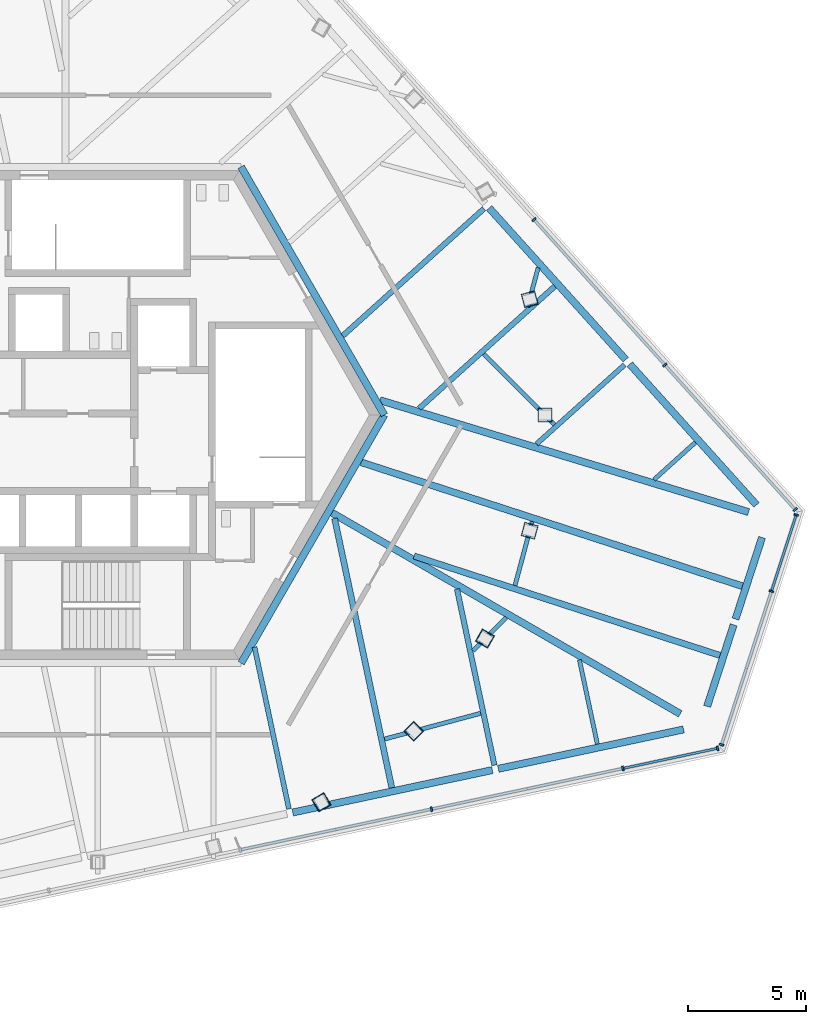
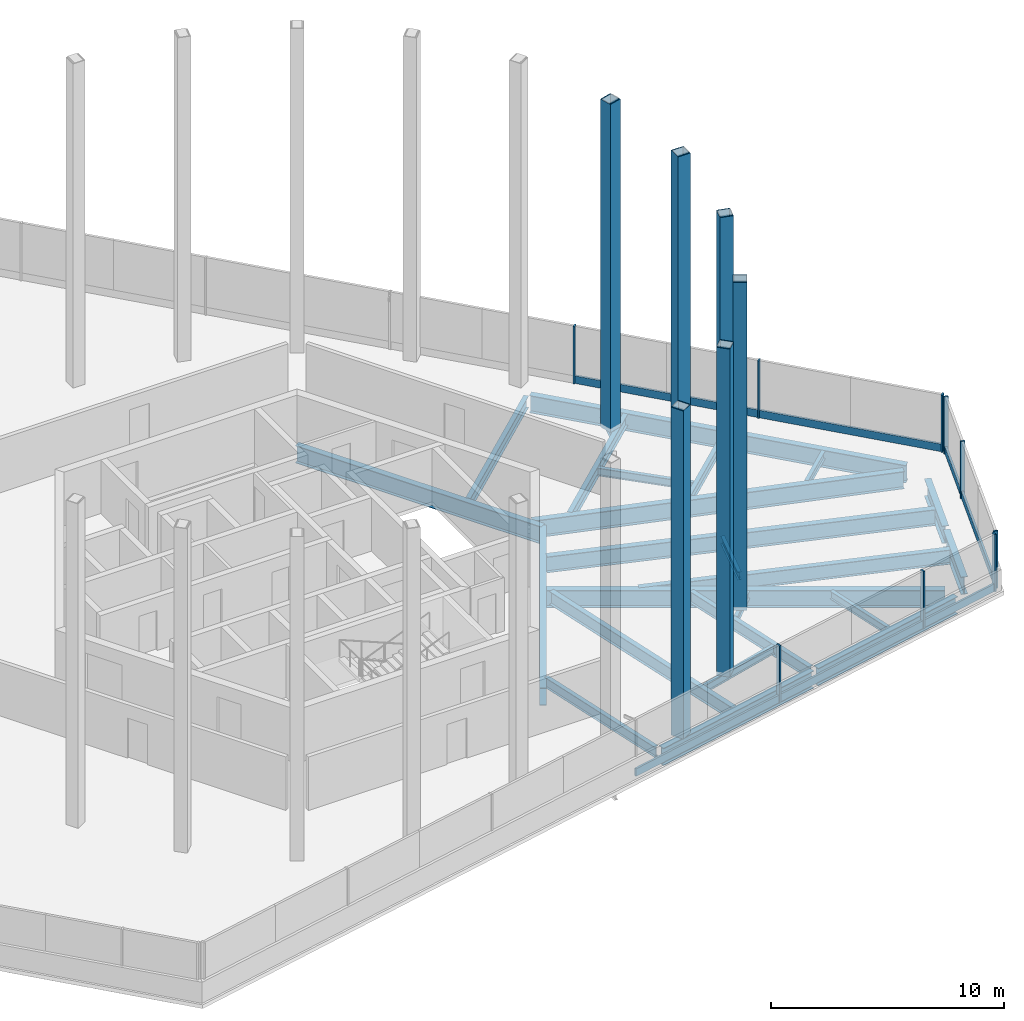
# One storey, part 3 of 11: 25 beams, 22 members, 3 elements without a shape of their own.
"""IFC4 building model written with IfcOpenShell, lengths in metres."""

from ifc_helpers import new_model, si_unit, direction, frame, origin, origin_2d, place, context, subcontext, project, spatial, rectangle, hollow_rectangle, i_section, extrude, source, transform, mapped, material, material_profile, profile_set, type_object, element, aggregate, save


model = new_model("IFC4")

# Units and contexts
model_context = context("Model", 3, precision=1e-05, world=origin(), true_north=direction((0.0, 1.0)))
body_context = subcontext(model_context, "Body", "Model", "MODEL_VIEW")
ifc_project = project(units=[si_unit("LENGTHUNIT", "METRE"), si_unit("AREAUNIT", "SQUARE_METRE"), si_unit("VOLUMEUNIT", "CUBIC_METRE"), si_unit("PLANEANGLEUNIT", "RADIAN"), si_unit("MASSUNIT", "GRAM", prefix="KILO")], contexts=[model_context])

# Site, building, storey
site_placement = place(None, origin())
site = spatial("IfcSite", under=ifc_project, at=site_placement, CompositionType="ELEMENT")
building_placement = place(site_placement, origin())
building = spatial("IfcBuilding", under=site, at=building_placement, Name="Triune Harvest Tower", CompositionType="ELEMENT")
storey_placement = place(building_placement, frame((0.0, 0.0, 296.699951171875)))
storey = spatial("IfcBuildingStorey", under=building, at=storey_placement, Name="L78", CompositionType="ELEMENT", Elevation=296.699951171875)

# Beams
ifc_material_1 = material(Name="Steel ASTM A992 Gr 50", Category="steel")
ifc_material_profile_1 = material_profile(ifc_material_1, i_section(OverallWidth=0.180908203125, OverallDepth=0.41650390625, WebThickness=0.010986328125, FlangeThickness=0.01806640625, at=origin_2d()), Name="W16x57")
ifc_profile_set_1 = profile_set([ifc_material_profile_1], Name="Steel ASTM A992 Gr 50")
beam_type_1 = type_object("IfcBeamType", Name="JT-1 Floor joist W16x57", PredefinedType="JOIST", material=ifc_profile_set_1)
beam_1_placement = place(storey_placement, frame((18.263427734375, 4.584716796875, -0.408203125), z_axis=(0.258794830847, 0.965932314154, 0.0), x_axis=(-0.965932314154, 0.258794830847, 0.0)))
element("IfcBeam", 1, at=beam_1_placement, inside=storey, type_object=beam_type_1, Name="beam/L78/CR2", PredefinedType="JOIST", context=body_context, shape_type="SweptSolid", body=[
    extrude(i_section(OverallWidth=0.180908203125, OverallDepth=0.41650390625, WebThickness=0.010986328125, FlangeThickness=0.01806640625, at=origin_2d()), origin(), (0.0, 0.0, 1.0), 1.731201171875),
])
beam_2_placement = place(storey_placement, frame((12.18408203125, -13.770263671875, -0.408203125), z_axis=(0.965918926693, 0.258844793375, 0.0), x_axis=(-0.258844793375, 0.965918926693, 0.0)))
element("IfcBeam", 2, at=beam_2_placement, inside=storey, type_object=beam_type_1, Name="beam/L78/CR25", PredefinedType="JOIST", context=body_context, shape_type="SweptSolid", body=[
    extrude(i_section(OverallWidth=0.180908203125, OverallDepth=0.41650390625, WebThickness=0.010986328125, FlangeThickness=0.01806640625, at=origin_2d()), origin(), (0.0, 0.0, 1.0), 4.228271484375),
])

# Curtain wall, member
ifc_material_2 = material(Name="Aluminium bronze anodised", Category="aluminium")
curtain_wall_type = type_object("IfcCurtainWallType", Name="CW-5 Plant louvre wall", PredefinedType="NOTDEFINED", material=ifc_material_2)
curtain_wall_1_placement = place(storey_placement, origin())
curtain_wall_1 = element("IfcCurtainWall", 3, at=curtain_wall_1_placement, inside=storey, type_object=curtain_wall_type, Name="CW-5 CP-F5 L78 run 1")
ifc_material_3 = material(Name="Aluminium bronze anodised", Category="aluminium")
ifc_material_profile_2 = material_profile(ifc_material_3, rectangle(XDim=0.10009765625, YDim=0.39990234375, at=origin_2d()), Name="TR-5 transom 100 x 400")
ifc_profile_set_2 = profile_set([ifc_material_profile_2], Name="Aluminium bronze anodised")
member_type_1 = type_object("IfcMemberType", Name="TR-5 transom 100 x 400", PredefinedType="USERDEFINED", material=ifc_profile_set_2)
member_1_placement = place(storey_placement, frame((22.350341796875, -15.010986328125, 0.199951171875), z_axis=(0.97814808792, 0.207909398774, 0.0), x_axis=(-0.207909398774, 0.97814808792, 0.0)))
member_1 = element("IfcMember", 4, at=member_1_placement, type_object=member_type_1, Name="CW-5 transom CP-F5 1.6", ObjectType="TRANSOM", PredefinedType="USERDEFINED", context=body_context, shape_type="SweptSolid", body=[
    extrude(rectangle(XDim=0.10009765625, YDim=0.39990234375, at=origin_2d()), origin(), (0.0, 0.0, 1.0), 4.035888671875),
])

curtain_wall_2_placement = place(storey_placement, origin())
curtain_wall_2 = element("IfcCurtainWall", 5, at=curtain_wall_2_placement, inside=storey, type_object=curtain_wall_type, Name="CW-5 CP-F6 L78 run 1")
member_2_placement = place(storey_placement, frame((28.637451171875, -7.4482421875, 0.199951171875), z_axis=(0.30900652121, 0.951059919169, 0.0), x_axis=(-0.951059919169, 0.30900652121, 0.0)))
member_2 = element("IfcMember", 6, at=member_2_placement, type_object=member_type_1, Name="CW-5 transom CP-F6 1.2", ObjectType="TRANSOM", PredefinedType="USERDEFINED", context=body_context, shape_type="SweptSolid", body=[
    extrude(rectangle(XDim=0.10009765625, YDim=0.39990234375, at=origin_2d()), origin(), (0.0, 0.0, 1.0), 3.3310546875),
])

# Beams
ifc_material_4 = material(Name="Steel ASTM A992 Gr 50", Category="steel")
ifc_material_profile_3 = material_profile(ifc_material_4, i_section(OverallWidth=0.3046875, OverallDepth=0.914306640625, WebThickness=0.0166015625, FlangeThickness=0.02587890625, at=origin_2d()), Name="W36x160")
ifc_profile_set_3 = profile_set([ifc_material_profile_3], Name="Steel ASTM A992 Gr 50")
beam_type_2 = type_object("IfcBeamType", Name="CG-1 Core ring girder W36x160", PredefinedType="BEAM", material=ifc_profile_set_3)
shared_shape_1 = source(origin(), body_context, "Body", "SweptSolid", [
    extrude(i_section(OverallWidth=0.3046875, OverallDepth=0.914306640625, WebThickness=0.0166015625, FlangeThickness=0.02587890625, at=origin_2d()), origin(), (0.0, 0.0, 1.0), 12.176025390625),
])
for number, where, z_axis, x_axis, name in (
    (7, (12.176025390625, 0.0, -0.6572265625), (-0.5000099932, 0.866019634131, 0.0), (-0.866019634131, -0.5000099932, 0.0), "beam/L78/CG1"),
    (8, (6.087890625, -10.544677734375, -0.6572265625), (0.5000099932, 0.866019634131, 0.0), (-0.866019634131, 0.5000099932, 0.0), "beam/L78/CG6"),
):
    element("IfcBeam", number, at=place(storey_placement, frame(where, z_axis=z_axis, x_axis=x_axis)), inside=storey, type_object=beam_type_2, Name=name, PredefinedType="BEAM", context=body_context, shape_type="MappedRepresentation", body=[
        mapped(shared_shape_1, transform((0.0, 0.0, 0.0), scale=1.0)),
    ])
ifc_material_5 = material(Name="Steel ASTM A992 Gr 50", Category="steel")
ifc_material_profile_4 = material_profile(ifc_material_5, i_section(OverallWidth=0.3046875, OverallDepth=0.914306640625, WebThickness=0.0166015625, FlangeThickness=0.02587890625, at=origin_2d()), Name="W36x160")
ifc_profile_set_4 = profile_set([ifc_material_profile_4], Name="Steel ASTM A992 Gr 50")
beam_type_3 = type_object("IfcBeamType", Name="SB-1 Spandrel beam W36x160", PredefinedType="SPANDREL", material=ifc_profile_set_4)
shared_shape_2 = source(origin(), body_context, "Body", "SweptSolid", [
    extrude(i_section(OverallWidth=0.3046875, OverallDepth=0.914306640625, WebThickness=0.0166015625, FlangeThickness=0.02587890625, at=origin_2d()), origin(), (0.0, 0.0, 1.0), 8.0498046875),
])
beam_3_placement = place(storey_placement, frame((27.991455078125, -3.82177734375, -0.6572265625), z_axis=(-0.669137301084, 0.743138797465, 0.0), x_axis=(-0.743138797465, -0.669137301084, 0.0)))
element("IfcBeam", 9, at=beam_3_placement, inside=storey, type_object=beam_type_3, Name="beam/L78/SB1", PredefinedType="SPANDREL", context=body_context, shape_type="MappedRepresentation", body=[
    mapped(shared_shape_2, transform((0.0, 0.0, 0.0), scale=1.0)),
])
shared_shape_3 = source(origin(), body_context, "Body", "SweptSolid", [
    extrude(i_section(OverallWidth=0.3046875, OverallDepth=0.914306640625, WebThickness=0.0166015625, FlangeThickness=0.02587890625, at=origin_2d()), origin(), (0.0, 0.0, 1.0), 8.671630859375),
])
beam_4_placement = place(storey_placement, frame((22.433349609375, 2.350830078125, -0.6572265625), z_axis=(-0.669114044563, 0.743159737452, 0.0), x_axis=(-0.743159737452, -0.669114044563, 0.0)))
element("IfcBeam", 10, at=beam_4_placement, inside=storey, type_object=beam_type_3, Name="beam/L78/SB2", PredefinedType="SPANDREL", context=body_context, shape_type="MappedRepresentation", body=[
    mapped(shared_shape_3, transform((0.0, 0.0, 0.0), scale=1.0)),
])
shared_shape_4 = source(origin(), body_context, "Body", "SweptSolid", [
    extrude(i_section(OverallWidth=0.3046875, OverallDepth=0.914306640625, WebThickness=0.0166015625, FlangeThickness=0.02587890625, at=origin_2d()), origin(), (0.0, 0.0, 1.0), 8.67138671875),
])
beam_5_placement = place(storey_placement, frame((8.28515625, -16.890869140625, -0.6572265625), z_axis=(0.978145539793, 0.207921386546, 0.0), x_axis=(-0.207921386546, 0.978145539793, 0.0)))
element("IfcBeam", 11, at=beam_5_placement, inside=storey, type_object=beam_type_3, Name="beam/L78/SB18", PredefinedType="SPANDREL", context=body_context, shape_type="MappedRepresentation", body=[
    mapped(shared_shape_4, transform((0.0, 0.0, 0.0), scale=1.0)),
])
shared_shape_5 = source(origin(), body_context, "Body", "SweptSolid", [
    extrude(i_section(OverallWidth=0.3046875, OverallDepth=0.914306640625, WebThickness=0.0166015625, FlangeThickness=0.02587890625, at=origin_2d()), origin(), (0.0, 0.0, 1.0), 3.645751953125),
])
for number, where, z_axis, x_axis, name in (
    (12, (25.89306640625, -12.38134765625, -0.6572265625), (0.309046702753, 0.951046862945, 0.0), (-0.951046862945, 0.309046702753, 0.0), "beam/L78/SB20"),
    (13, (27.09912109375, -8.670166015625, -0.6572265625), (0.308986131058, 0.951066543841, 0.0), (-0.951066543841, 0.308986131058, 0.0), "beam/L78/SB21"),
):
    element("IfcBeam", number, at=place(storey_placement, frame(where, z_axis=z_axis, x_axis=x_axis)), inside=storey, type_object=beam_type_3, Name=name, PredefinedType="SPANDREL", context=body_context, shape_type="MappedRepresentation", body=[
        mapped(shared_shape_5, transform((0.0, 0.0, 0.0), scale=1.0)),
    ])
shared_shape_6 = source(origin(), body_context, "Body", "SweptSolid", [
    extrude(i_section(OverallWidth=0.3046875, OverallDepth=0.914306640625, WebThickness=0.0166015625, FlangeThickness=0.02587890625, at=origin_2d()), origin(), (0.0, 0.0, 1.0), 8.049560546875),
])
beam_6_placement = place(storey_placement, frame((17.01806640625, -15.034423828125, -0.6572265625), z_axis=(0.978148597907, 0.207906999431, 0.0), x_axis=(-0.207906999431, 0.978148597907, 0.0)))
element("IfcBeam", 14, at=beam_6_placement, inside=storey, type_object=beam_type_3, Name="beam/L78/SB19", PredefinedType="SPANDREL", context=body_context, shape_type="MappedRepresentation", body=[
    mapped(shared_shape_6, transform((0.0, 0.0, 0.0), scale=1.0)),
])
ifc_material_6 = material(Name="Steel ASTM A992 Gr 50", Category="steel")
ifc_material_profile_5 = material_profile(ifc_material_6, i_section(OverallWidth=0.3046875, OverallDepth=0.914306640625, WebThickness=0.0166015625, FlangeThickness=0.02587890625, at=origin_2d()), Name="W36x160")
ifc_profile_set_5 = profile_set([ifc_material_profile_5], Name="Steel ASTM A992 Gr 50")
beam_type_4 = type_object("IfcBeamType", Name="HG-3 Hip girder W36x160", PredefinedType="BEAM", material=ifc_profile_set_5)
shared_shape_7 = source(origin(), body_context, "Body", "SweptSolid", [
    extrude(i_section(OverallWidth=0.3046875, OverallDepth=0.914306640625, WebThickness=0.0166015625, FlangeThickness=0.02587890625, at=origin_2d()), origin(), (0.0, 0.0, 1.0), 16.370361328125),
])
beam_7_placement = place(storey_placement, frame((27.65478515625, -4.124755859375, -0.6572265625), z_axis=(-0.956924757428, 0.29033602708, 0.0), x_axis=(-0.29033602708, -0.956924757428, 0.0)))
element("IfcBeam", 15, at=beam_7_placement, inside=storey, type_object=beam_type_4, Name="beam/L78/HG1", PredefinedType="BEAM", context=body_context, shape_type="MappedRepresentation", body=[
    mapped(shared_shape_7, transform((0.0, 0.0, 0.0), scale=1.0)),
])
shared_shape_8 = source(origin(), body_context, "Body", "SweptSolid", [
    extrude(i_section(OverallWidth=0.3046875, OverallDepth=0.914306640625, WebThickness=0.0166015625, FlangeThickness=0.02587890625, at=origin_2d()), origin(), (0.0, 0.0, 1.0), 17.088623046875),
])
beam_8_placement = place(storey_placement, frame((24.75146484375, -12.700439453125, -0.6572265625), z_axis=(-0.866020709961, 0.500008129852, 0.0), x_axis=(-0.500008129852, -0.866020709961, 0.0)))
element("IfcBeam", 16, at=beam_8_placement, inside=storey, type_object=beam_type_4, Name="beam/L78/HG8", PredefinedType="BEAM", context=body_context, shape_type="MappedRepresentation", body=[
    mapped(shared_shape_8, transform((0.0, 0.0, 0.0), scale=1.0)),
])
shared_shape_9 = source(origin(), body_context, "Body", "SweptSolid", [
    extrude(i_section(OverallWidth=0.180908203125, OverallDepth=0.41650390625, WebThickness=0.010986328125, FlangeThickness=0.01806640625, at=origin_2d()), origin(), (0.0, 0.0, 1.0), 2.364990234375),
])
beam_9_placement = place(storey_placement, frame((25.39306640625, -1.163818359375, -0.408203125), z_axis=(-0.743196605909, -0.669073093888, 0.0), x_axis=(0.669073093888, -0.743196605909, 0.0)))
element("IfcBeam", 17, at=beam_9_placement, inside=storey, type_object=beam_type_1, Name="beam/L78/JT1", PredefinedType="JOIST", context=body_context, shape_type="MappedRepresentation", body=[
    mapped(shared_shape_9, transform((0.0, 0.0, 0.0), scale=1.0)),
])
ifc_material_7 = material(Name="Steel ASTM A992 Gr 50", Category="steel")
ifc_material_profile_6 = material_profile(ifc_material_7, i_section(OverallWidth=0.2099609375, OverallDepth=0.535888671875, WebThickness=0.010986328125, FlangeThickness=0.017333984375, at=origin_2d()), Name="W21x68")
ifc_profile_set_6 = profile_set([ifc_material_profile_6], Name="Steel ASTM A992 Gr 50")
beam_type_5 = type_object("IfcBeamType", Name="JT-2 Floor joist W21x68", PredefinedType="JOIST", material=ifc_profile_set_6)
shared_shape_10 = source(origin(), body_context, "Body", "SweptSolid", [
    extrude(i_section(OverallWidth=0.2099609375, OverallDepth=0.535888671875, WebThickness=0.010986328125, FlangeThickness=0.017333984375, at=origin_2d()), origin(), (0.0, 0.0, 1.0), 5.031982421875),
])
beam_10_placement = place(storey_placement, frame((22.38525390625, 2.135009765625, -0.468017578125), z_axis=(-0.743132491089, -0.669144304831, 0.0), x_axis=(0.669144304831, -0.743132491089, 0.0)))
element("IfcBeam", 18, at=beam_10_placement, inside=storey, type_object=beam_type_5, Name="beam/L78/JT2", PredefinedType="JOIST", context=body_context, shape_type="MappedRepresentation", body=[
    mapped(shared_shape_10, transform((0.0, 0.0, 0.0), scale=1.0)),
])
ifc_material_8 = material(Name="Steel ASTM A992 Gr 50", Category="steel")
ifc_material_profile_7 = material_profile(ifc_material_8, i_section(OverallWidth=0.22900390625, OverallDepth=0.612060546875, WebThickness=0.011962890625, FlangeThickness=0.01953125, at=origin_2d()), Name="W24x84")
ifc_profile_set_7 = profile_set([ifc_material_profile_7], Name="Steel ASTM A992 Gr 50")
beam_type_6 = type_object("IfcBeamType", Name="JT-3 Floor joist W24x84", PredefinedType="JOIST", material=ifc_profile_set_7)
shared_shape_11 = source(origin(), body_context, "Body", "SweptSolid", [
    extrude(i_section(OverallWidth=0.22900390625, OverallDepth=0.612060546875, WebThickness=0.011962890625, FlangeThickness=0.01953125, at=origin_2d()), origin(), (0.0, 0.0, 1.0), 7.755126953125),
])
beam_11_placement = place(storey_placement, frame((19.4189453125, 5.470947265625, -0.506103515625), z_axis=(-0.743143852868, -0.66913168655, 0.0), x_axis=(0.66913168655, -0.743143852868, 0.0)))
element("IfcBeam", 19, at=beam_11_placement, inside=storey, type_object=beam_type_6, Name="beam/L78/JT3", PredefinedType="JOIST", context=body_context, shape_type="MappedRepresentation", body=[
    mapped(shared_shape_11, transform((0.0, 0.0, 0.0), scale=1.0)),
])
shared_shape_12 = source(origin(), body_context, "Body", "SweptSolid", [
    extrude(i_section(OverallWidth=0.22900390625, OverallDepth=0.612060546875, WebThickness=0.011962890625, FlangeThickness=0.01953125, at=origin_2d()), origin(), (0.0, 0.0, 1.0), 8.076904296875),
])
beam_12_placement = place(storey_placement, frame((16.4111328125, 8.769775390625, -0.506103515625), z_axis=(-0.743136309392, -0.669140064308, 0.0), x_axis=(0.669140064308, -0.743136309392, 0.0)))
element("IfcBeam", 20, at=beam_12_placement, inside=storey, type_object=beam_type_6, Name="beam/L78/JT4", PredefinedType="JOIST", context=body_context, shape_type="MappedRepresentation", body=[
    mapped(shared_shape_12, transform((0.0, 0.0, 0.0), scale=1.0)),
])
shared_shape_13 = source(origin(), body_context, "Body", "SweptSolid", [
    extrude(i_section(OverallWidth=0.2099609375, OverallDepth=0.535888671875, WebThickness=0.010986328125, FlangeThickness=0.017333984375, at=origin_2d()), origin(), (0.0, 0.0, 1.0), 7.035400390625),
])
beam_13_placement = place(storey_placement, frame((8.122314453125, -16.7412109375, -0.468017578125), z_axis=(-0.207933876112, 0.978142884841, 0.0), x_axis=(-0.978142884841, -0.207933876112, 0.0)))
element("IfcBeam", 21, at=beam_13_placement, inside=storey, type_object=beam_type_5, Name="beam/L78/JT28", PredefinedType="JOIST", context=body_context, shape_type="MappedRepresentation", body=[
    mapped(shared_shape_13, transform((0.0, 0.0, 0.0), scale=1.0)),
])
ifc_material_9 = material(Name="Steel ASTM A992 Gr 50", Category="steel")
ifc_material_profile_8 = material_profile(ifc_material_9, i_section(OverallWidth=0.253662109375, OverallDepth=0.683349609375, WebThickness=0.012451171875, FlangeThickness=0.01904296875, at=origin_2d()), Name="W27x94")
ifc_profile_set_8 = profile_set([ifc_material_profile_8], Name="Steel ASTM A992 Gr 50")
beam_type_7 = type_object("IfcBeamType", Name="JT-4 Floor joist W27x94", PredefinedType="JOIST", material=ifc_profile_set_8)
shared_shape_14 = source(origin(), body_context, "Body", "SweptSolid", [
    extrude(i_section(OverallWidth=0.253662109375, OverallDepth=0.683349609375, WebThickness=0.012451171875, FlangeThickness=0.01904296875, at=origin_2d()), origin(), (0.0, 0.0, 1.0), 11.70068359375),
])
beam_14_placement = place(storey_placement, frame((12.494384765625, -15.84033203125, -0.54150390625), z_axis=(-0.207902925765, 0.978149463762, 0.0), x_axis=(-0.978149463762, -0.207902925765, 0.0)))
element("IfcBeam", 22, at=beam_14_placement, inside=storey, type_object=beam_type_7, Name="beam/L78/JT29", PredefinedType="JOIST", context=body_context, shape_type="MappedRepresentation", body=[
    mapped(shared_shape_14, transform((0.0, 0.0, 0.0), scale=1.0)),
])
shared_shape_15 = source(origin(), body_context, "Body", "SweptSolid", [
    extrude(i_section(OverallWidth=0.22900390625, OverallDepth=0.612060546875, WebThickness=0.011962890625, FlangeThickness=0.01953125, at=origin_2d()), origin(), (0.0, 0.0, 1.0), 7.6533203125),
])
beam_15_placement = place(storey_placement, frame((16.85498046875, -14.884765625, -0.506103515625), z_axis=(-0.207892711211, 0.978151634781, 0.0), x_axis=(-0.978151634781, -0.207892711211, 0.0)))
element("IfcBeam", 23, at=beam_15_placement, inside=storey, type_object=beam_type_6, Name="beam/L78/JT30", PredefinedType="JOIST", context=body_context, shape_type="MappedRepresentation", body=[
    mapped(shared_shape_15, transform((0.0, 0.0, 0.0), scale=1.0)),
])
shared_shape_16 = source(origin(), body_context, "Body", "SweptSolid", [
    extrude(i_section(OverallWidth=0.180908203125, OverallDepth=0.41650390625, WebThickness=0.010986328125, FlangeThickness=0.01806640625, at=origin_2d()), origin(), (0.0, 0.0, 1.0), 3.661865234375),
])
beam_16_placement = place(storey_placement, frame((21.227294921875, -13.98388671875, -0.408203125), z_axis=(-0.20788506993, 0.9781532588, 0.0), x_axis=(-0.9781532588, -0.20788506993, 0.0)))
element("IfcBeam", 24, at=beam_16_placement, inside=storey, type_object=beam_type_1, Name="beam/L78/JT31", PredefinedType="JOIST", context=body_context, shape_type="MappedRepresentation", body=[
    mapped(shared_shape_16, transform((0.0, 0.0, 0.0), scale=1.0)),
])
ifc_material_10 = material(Name="Steel ASTM A992 Gr 50", Category="steel")
ifc_material_profile_9 = material_profile(ifc_material_10, i_section(OverallWidth=0.2666015625, OverallDepth=0.7568359375, WebThickness=0.013916015625, FlangeThickness=0.019287109375, at=origin_2d()), Name="W30x108")
ifc_profile_set_9 = profile_set([ifc_material_profile_9], Name="Steel ASTM A992 Gr 50")
beam_type_8 = type_object("IfcBeamType", Name="JT-5 Floor joist W30x108", PredefinedType="JOIST", material=ifc_profile_set_9)
shared_shape_17 = source(origin(), body_context, "Body", "SweptSolid", [
    extrude(i_section(OverallWidth=0.2666015625, OverallDepth=0.7568359375, WebThickness=0.013916015625, FlangeThickness=0.019287109375, at=origin_2d()), origin(), (0.0, 0.0, 1.0), 13.667724609375),
])
beam_17_placement = place(storey_placement, frame((26.4365234375, -10.216064453125, -0.578369140625), z_axis=(-0.951054938162, 0.309021851327, 0.0), x_axis=(-0.309021851327, -0.951054938162, 0.0)))
element("IfcBeam", 25, at=beam_17_placement, inside=storey, type_object=beam_type_8, Name="beam/L78/JT32", PredefinedType="JOIST", context=body_context, shape_type="MappedRepresentation", body=[
    mapped(shared_shape_17, transform((0.0, 0.0, 0.0), scale=1.0)),
])
ifc_material_11 = material(Name="Steel ASTM A992 Gr 50", Category="steel")
ifc_material_profile_10 = material_profile(ifc_material_11, i_section(OverallWidth=0.2919921875, OverallDepth=0.8408203125, WebThickness=0.0146484375, FlangeThickness=0.021728515625, at=origin_2d()), Name="W33x130")
ifc_profile_set_10 = profile_set([ifc_material_profile_10], Name="Steel ASTM A992 Gr 50")
beam_type_9 = type_object("IfcBeamType", Name="JT-6 Floor joist W33x130", PredefinedType="JOIST", material=ifc_profile_set_10)
shared_shape_18 = source(origin(), body_context, "Body", "SweptSolid", [
    extrude(i_section(OverallWidth=0.2919921875, OverallDepth=0.8408203125, WebThickness=0.0146484375, FlangeThickness=0.021728515625, at=origin_2d()), origin(), (0.0, 0.0, 1.0), 17.03466796875),
])
beam_18_placement = place(storey_placement, frame((27.392333984375, -7.27392578125, -0.620361328125), z_axis=(-0.951057974177, 0.30901250744, 0.0), x_axis=(-0.30901250744, -0.951057974177, 0.0)))
element("IfcBeam", 26, at=beam_18_placement, inside=storey, type_object=beam_type_9, Name="beam/L78/JT33", PredefinedType="JOIST", context=body_context, shape_type="MappedRepresentation", body=[
    mapped(shared_shape_18, transform((0.0, 0.0, 0.0), scale=1.0)),
])
shared_shape_19 = source(origin(), body_context, "Body", "SweptSolid", [
    extrude(i_section(OverallWidth=0.180908203125, OverallDepth=0.41650390625, WebThickness=0.010986328125, FlangeThickness=0.01806640625, at=origin_2d()), origin(), (0.0, 0.0, 1.0), 4.250244140625),
])
beam_19_placement = place(storey_placement, frame((19.406005859375, -0.406005859375, -0.408203125), z_axis=(-0.707106781187, 0.707106781187, 0.0), x_axis=(-0.707106781187, -0.707106781187, 0.0)))
element("IfcBeam", 27, at=beam_19_placement, inside=storey, type_object=beam_type_1, Name="beam/L78/CR1", PredefinedType="JOIST", context=body_context, shape_type="MappedRepresentation", body=[
    mapped(shared_shape_19, transform((0.0, 0.0, 0.0), scale=1.0)),
])
shared_shape_20 = source(origin(), body_context, "Body", "SweptSolid", [
    extrude(i_section(OverallWidth=0.180908203125, OverallDepth=0.41650390625, WebThickness=0.010986328125, FlangeThickness=0.01806640625, at=origin_2d()), origin(), (0.0, 0.0, 1.0), 1.9990234375),
])
beam_20_placement = place(storey_placement, frame((15.9375, -10.01708984375, -0.408203125), z_axis=(0.707045710514, 0.707167846585, 0.0), x_axis=(-0.707167846585, 0.707045710514, 0.0)))
element("IfcBeam", 28, at=beam_20_placement, inside=storey, type_object=beam_type_1, Name="beam/L78/CR26", PredefinedType="JOIST", context=body_context, shape_type="MappedRepresentation", body=[
    mapped(shared_shape_20, transform((0.0, 0.0, 0.0), scale=1.0)),
])
shared_shape_21 = source(origin(), body_context, "Body", "SweptSolid", [
    extrude(i_section(OverallWidth=0.180908203125, OverallDepth=0.41650390625, WebThickness=0.010986328125, FlangeThickness=0.01806640625, at=origin_2d()), origin(), (0.0, 0.0, 1.0), 2.817626953125),
])
beam_21_placement = place(storey_placement, frame((17.728515625, -7.246337890625, -0.408203125), z_axis=(0.258891994484, 0.965906276609, 0.0), x_axis=(-0.965906276609, 0.258891994484, 0.0)))
element("IfcBeam", 29, at=beam_21_placement, inside=storey, type_object=beam_type_1, Name="beam/L78/CR27", PredefinedType="JOIST", context=body_context, shape_type="MappedRepresentation", body=[
    mapped(shared_shape_21, transform((0.0, 0.0, 0.0), scale=1.0)),
])

# Curtain wall, members
curtain_wall_3_placement = place(storey_placement, origin())
curtain_wall_3 = element("IfcCurtainWall", 30, at=curtain_wall_3_placement, inside=storey, type_object=curtain_wall_type, Name="CW-5 CP-F1 L78 run 1")
ifc_material_12 = material(Name="Aluminium bronze anodised", Category="aluminium")
ifc_material_profile_11 = material_profile(ifc_material_12, rectangle(XDim=0.199951171875, YDim=0.080078125, at=origin_2d()), Name="MU-5 mullion 80 x 200")
ifc_profile_set_11 = profile_set([ifc_material_profile_11], Name="Aluminium bronze anodised")
member_type_2 = type_object("IfcMemberType", Name="MU-5 mullion 80 x 200", PredefinedType="MULLION", material=ifc_profile_set_11)
shared_shape_22 = source(origin(), body_context, "Body", "SweptSolid", [
    extrude(rectangle(XDim=0.199951171875, YDim=0.080078125, at=origin_2d()), origin(), (0.0, 0.0, 1.0), 3.0),
])
member_3_placement = place(storey_placement, frame((29.63232421875, -4.02197265625, 0.0), z_axis=(0.0, 0.0, 1.0), x_axis=(-0.743144068463, -0.669131447108, 0.0)))
member_3 = element("IfcMember", 31, at=member_3_placement, type_object=member_type_2, Name="CW-5 mullion CP-F1 1.1", PredefinedType="MULLION", context=body_context, shape_type="MappedRepresentation", body=[
    mapped(shared_shape_22, transform((0.0, 0.0, 0.0), scale=1.0)),
])
member_4_placement = place(storey_placement, frame((24.09765625, 2.125, 0.0), z_axis=(0.0, 0.0, 1.0), x_axis=(-0.743144068463, -0.669131447108, 0.0)))
member_4 = element("IfcMember", 32, at=member_4_placement, type_object=member_type_2, Name="CW-5 mullion CP-F1 1.3", PredefinedType="MULLION", context=body_context, shape_type="MappedRepresentation", body=[
    mapped(shared_shape_22, transform((0.0, 0.0, 0.0), scale=1.0)),
])
member_5_placement = place(storey_placement, frame((18.5361328125, 8.3017578125, 0.0), z_axis=(0.0, 0.0, 1.0), x_axis=(-0.743144068463, -0.669131447108, 0.0)))
member_5 = element("IfcMember", 33, at=member_5_placement, type_object=member_type_2, Name="CW-5 mullion CP-F1 1.5", PredefinedType="MULLION", context=body_context, shape_type="MappedRepresentation", body=[
    mapped(shared_shape_22, transform((0.0, 0.0, 0.0), scale=1.0)),
])

# Member
member_6_placement = place(storey_placement, frame((14.181396484375, -16.747314453125, 0.0), z_axis=(0.0, 0.0, 1.0), x_axis=(-0.207910979944, 0.978147751834, 0.0)))
member_6 = element("IfcMember", 34, at=member_6_placement, type_object=member_type_2, Name="CW-5 mullion CP-F5 1.9", PredefinedType="MULLION", context=body_context, shape_type="MappedRepresentation", body=[
    mapped(shared_shape_22, transform((0.0, 0.0, 0.0), scale=1.0)),
])

member_7_placement = place(storey_placement, frame((22.311279296875, -15.019287109375, 0.0), z_axis=(0.0, 0.0, 1.0), x_axis=(-0.207910979944, 0.978147751834, 0.0)))
member_7 = element("IfcMember", 35, at=member_7_placement, type_object=member_type_2, Name="CW-5 mullion CP-F5 1.11", PredefinedType="MULLION", context=body_context, shape_type="MappedRepresentation", body=[
    mapped(shared_shape_22, transform((0.0, 0.0, 0.0), scale=1.0)),
])

member_8_placement = place(storey_placement, frame((26.337158203125, -14.16357421875, 0.0), z_axis=(0.0, 0.0, 1.0), x_axis=(-0.207910979944, 0.978147751834, 0.0)))
member_8 = element("IfcMember", 36, at=member_8_placement, type_object=member_type_2, Name="CW-5 mullion CP-F5 1.12", PredefinedType="MULLION", context=body_context, shape_type="MappedRepresentation", body=[
    mapped(shared_shape_22, transform((0.0, 0.0, 0.0), scale=1.0)),
])

member_9_placement = place(storey_placement, frame((26.50439453125, -14.012939453125, 0.0), z_axis=(0.0, 0.0, 1.0), x_axis=(-0.951055902733, 0.309018882717, 0.0)))
member_9 = element("IfcMember", 37, at=member_9_placement, type_object=member_type_2, Name="CW-5 mullion CP-F6 1.1", PredefinedType="MULLION", context=body_context, shape_type="MappedRepresentation", body=[
    mapped(shared_shape_22, transform((0.0, 0.0, 0.0), scale=1.0)),
])

member_10_placement = place(storey_placement, frame((28.625, -7.486328125, 0.0), z_axis=(0.0, 0.0, 1.0), x_axis=(-0.951055902733, 0.309018882717, 0.0)))
member_10 = element("IfcMember", 38, at=member_10_placement, type_object=member_type_2, Name="CW-5 mullion CP-F6 1.3", PredefinedType="MULLION", context=body_context, shape_type="MappedRepresentation", body=[
    mapped(shared_shape_22, transform((0.0, 0.0, 0.0), scale=1.0)),
])

member_11_placement = place(storey_placement, frame((29.67919921875, -4.2421875, 0.0), z_axis=(0.0, 0.0, 1.0), x_axis=(-0.951055902733, 0.309018882717, 0.0)))
member_11 = element("IfcMember", 39, at=member_11_placement, type_object=member_type_2, Name="CW-5 mullion CP-F6 1.4", PredefinedType="MULLION", context=body_context, shape_type="MappedRepresentation", body=[
    mapped(shared_shape_22, transform((0.0, 0.0, 0.0), scale=1.0)),
])

shared_shape_23 = source(origin(), body_context, "Body", "SweptSolid", [
    extrude(rectangle(XDim=0.10009765625, YDim=0.39990234375, at=origin_2d()), origin(), (0.0, 0.0, 1.0), 8.19140625),
])
member_12_placement = place(storey_placement, frame((29.605712890625, -3.9921875, 0.199951171875), z_axis=(-0.669135964998, 0.743140000502, 0.0), x_axis=(-0.743140000502, -0.669135964998, 0.0)))
member_12 = element("IfcMember", 40, at=member_12_placement, type_object=member_type_1, Name="CW-5 transom CP-F1 1.1", ObjectType="TRANSOM", PredefinedType="USERDEFINED", context=body_context, shape_type="MappedRepresentation", body=[
    mapped(shared_shape_23, transform((0.0, 0.0, 0.0), scale=1.0)),
])

shared_shape_24 = source(origin(), body_context, "Body", "SweptSolid", [
    extrude(rectangle(XDim=0.10009765625, YDim=0.39990234375, at=origin_2d()), origin(), (0.0, 0.0, 1.0), 8.2314453125),
])
member_13_placement = place(storey_placement, frame((24.07080078125, 2.15478515625, 0.199951171875), z_axis=(-0.669122027567, 0.743152549766, 0.0), x_axis=(-0.743152549766, -0.669122027567, 0.0)))
member_13 = element("IfcMember", 41, at=member_13_placement, type_object=member_type_1, Name="CW-5 transom CP-F1 1.2", ObjectType="TRANSOM", PredefinedType="USERDEFINED", context=body_context, shape_type="MappedRepresentation", body=[
    mapped(shared_shape_24, transform((0.0, 0.0, 0.0), scale=1.0)),
])

aggregate(curtain_wall_3, [member_3, member_4, member_5, member_12, member_13])

shared_shape_25 = source(origin(), body_context, "Body", "SweptSolid", [
    extrude(rectangle(XDim=0.10009765625, YDim=0.39990234375, at=origin_2d()), origin(), (0.0, 0.0, 1.0), 8.231689453125),
])
member_14_placement = place(storey_placement, frame((6.090576171875, -18.46728515625, 0.199951171875), z_axis=(0.978142264855, 0.207936792568, 0.0), x_axis=(-0.207936792568, 0.978142264855, 0.0)))
member_14 = element("IfcMember", 42, at=member_14_placement, type_object=member_type_1, Name="CW-5 transom CP-F5 1.4", ObjectType="TRANSOM", PredefinedType="USERDEFINED", context=body_context, shape_type="MappedRepresentation", body=[
    mapped(shared_shape_25, transform((0.0, 0.0, 0.0), scale=1.0)),
])

member_15_placement = place(storey_placement, frame((14.220458984375, -16.739013671875, 0.199951171875), z_axis=(0.978148296806, 0.207908416028, 0.0), x_axis=(-0.207908416028, 0.978148296806, 0.0)))
member_15 = element("IfcMember", 43, at=member_15_placement, type_object=member_type_1, Name="CW-5 transom CP-F5 1.5", ObjectType="TRANSOM", PredefinedType="USERDEFINED", context=body_context, shape_type="MappedRepresentation", body=[
    mapped(shared_shape_25, transform((0.0, 0.0, 0.0), scale=1.0)),
])

aggregate(curtain_wall_1, [member_6, member_7, member_8, member_14, member_15, member_1])

shared_shape_26 = source(origin(), body_context, "Body", "SweptSolid", [
    extrude(rectangle(XDim=0.10009765625, YDim=0.39990234375, at=origin_2d()), origin(), (0.0, 0.0, 1.0), 6.782470703125),
])
member_16_placement = place(storey_placement, frame((26.516845703125, -13.974853515625, 0.199951171875), z_axis=(0.309026654743, 0.951053377397, 0.0), x_axis=(-0.951053377397, 0.309026654743, 0.0)))
member_16 = element("IfcMember", 44, at=member_16_placement, type_object=member_type_1, Name="CW-5 transom CP-F6 1.1", ObjectType="TRANSOM", PredefinedType="USERDEFINED", context=body_context, shape_type="MappedRepresentation", body=[
    mapped(shared_shape_26, transform((0.0, 0.0, 0.0), scale=1.0)),
])

aggregate(curtain_wall_2, [member_9, member_10, member_11, member_16, member_2])

# Members
ifc_material_13 = material(Name="Steel ASTM A572 Gr 50", Category="steel")
ifc_material_profile_12 = material_profile(ifc_material_13, hollow_rectangle(XDim=0.60009765625, YDim=0.60009765625, WallThickness=0.030029296875, at=origin_2d()), Name="Box 600x600x30")
ifc_profile_set_12 = profile_set([ifc_material_profile_12], Name="Steel ASTM A572 Gr 50")
member_type_3 = type_object("IfcMemberType", Name="CF-1 Crown frame column Box 600x600x30", PredefinedType="POST", material=ifc_profile_set_12)
shared_shape_27 = source(origin(), body_context, "Body", "SweptSolid", [
    extrude(hollow_rectangle(XDim=0.60009765625, YDim=0.60009765625, WallThickness=0.030029296875, at=origin_2d()), origin(), (0.0, 0.0, 1.0), 17.175048828125),
])
for number, where, z_axis, x_axis, name in (
    (45, (19.0, 0.0, -0.199951171875), (0.0, 0.0, 1.0), (0.0, 1.0, 0.0), "CROWN FRAME post 1"),
    (46, (18.3525390625, 4.91748046875, -0.199951171875), (0.0, 0.0, 1.0), (-0.258819045103, 0.965925826289, 0.0), "CROWN FRAME post 2"),
    (47, (9.5, -16.45458984375, -0.199951171875), (0.0, 0.0, 1.0), (0.866025403784, 0.5, 0.0), "CROWN FRAME post 21"),
    (48, (13.43505859375, -13.43505859375, -0.199951171875), (0.0, 0.0, 1.0), (0.707106781187, 0.707106781187, 0.0), "CROWN FRAME post 22"),
    (49, (16.45458984375, -9.5, -0.199951171875), (0.0, 0.0, 1.0), (0.5, 0.866025403784, 0.0), "CROWN FRAME post 23"),
    (50, (18.3525390625, -4.91748046875, -0.199951171875), (0.0, 0.0, 1.0), (0.258819045103, 0.965925826289, 0.0), "CROWN FRAME post 24"),
):
    element("IfcMember", number, at=place(storey_placement, frame(where, z_axis=z_axis, x_axis=x_axis)), inside=storey, type_object=member_type_3, Name=name, PredefinedType="POST", context=body_context, shape_type="MappedRepresentation", body=[
        mapped(shared_shape_27, transform((0.0, 0.0, 0.0), scale=1.0)),
    ])

save(model, "model.ifc")
